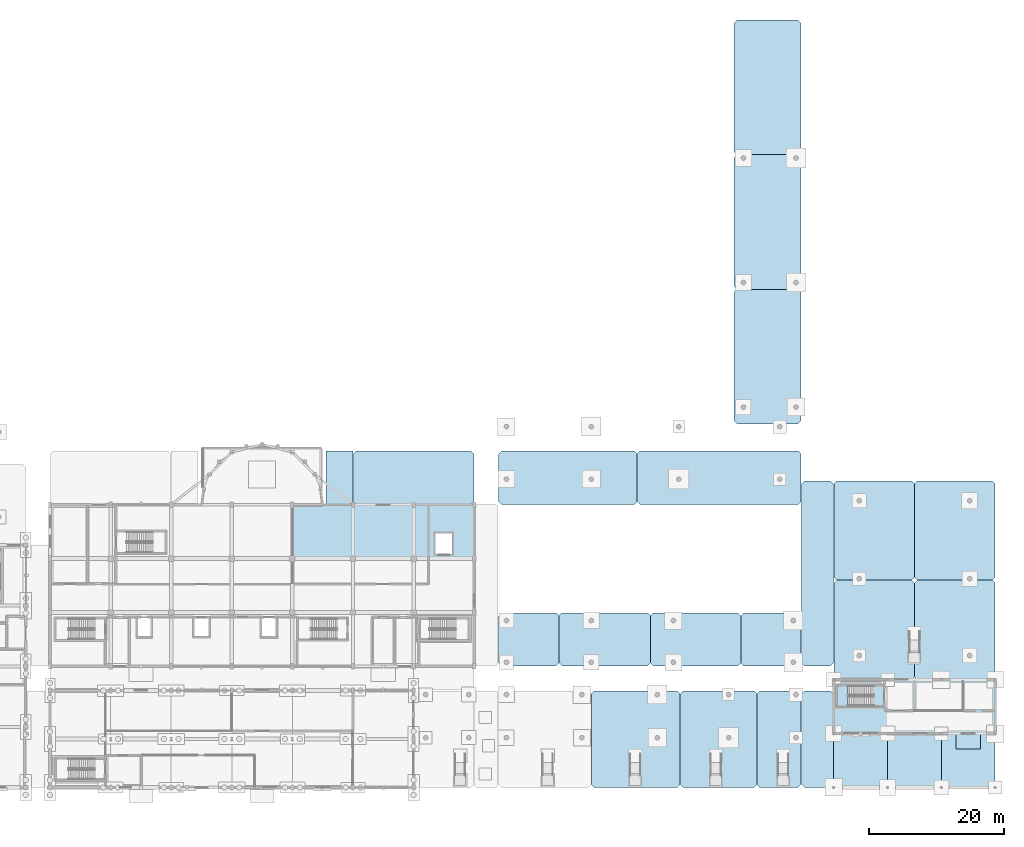
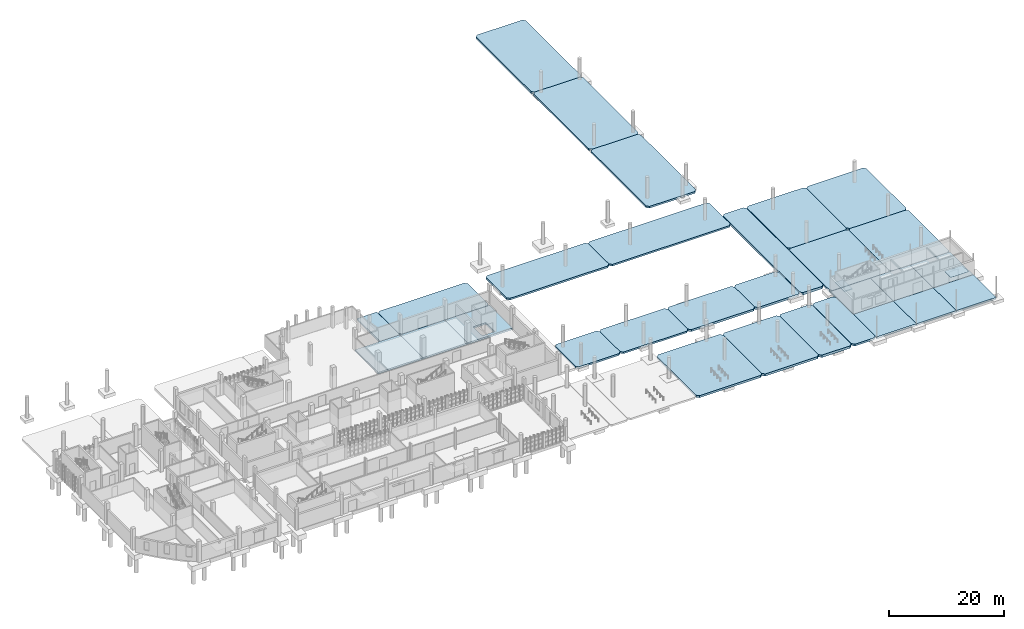
# One storey, part 36 of 63: 30 slabs, 1 plate, 1 element without a shape of its own.
"""IFC4 building model written with IfcOpenShell, lengths in metres."""

from ifc_helpers import new_model, si_unit, direction, frame, origin, origin_2d, place, context, subcontext, project, spatial, polyline, rectangle, outline, extrude, material, layer, layer_set, type_object, element, aggregate, save


model = new_model("IFC4")

# Units and contexts
model_context = context("Model", 3, precision=1e-05, world=origin(), true_north=direction((0.0, 1.0)))
body_context = subcontext(model_context, "Body", "Model", "MODEL_VIEW")
ifc_project = project(units=[si_unit("LENGTHUNIT", "METRE"), si_unit("AREAUNIT", "SQUARE_METRE"), si_unit("VOLUMEUNIT", "CUBIC_METRE"), si_unit("PLANEANGLEUNIT", "RADIAN"), si_unit("MASSUNIT", "GRAM", prefix="KILO")], contexts=[model_context])

# Site, building, storey
site_placement = place(None, origin())
site = spatial("IfcSite", under=ifc_project, at=site_placement, CompositionType="ELEMENT")
building_placement = place(site_placement, origin())
building = spatial("IfcBuilding", under=site, at=building_placement, Name="Serraforn Aerial Cableway Station", CompositionType="ELEMENT")
storey_placement = place(building_placement, origin())
storey = spatial("IfcBuildingStorey", under=building, at=storey_placement, Name="L00", CompositionType="ELEMENT", Elevation=0.0)

# Plate
ifc_material_1 = material(Name="Patinated bronze entrance canopy soffit")
ifc_layer_1 = layer(ifc_material_1, 0.035888671875)
ifc_layer_set_1 = layer_set([ifc_layer_1], Name="Patinated bronze entrance canopy soffit")
plate_type = type_object("IfcPlateType", Name="CAN-BRONZE", PredefinedType="USERDEFINED", material=ifc_layer_set_1)
plate_placement = place(storey_placement, frame((164.0, 6.840087890625, 2.73193359375), z_axis=(0.0, 0.0, 1.0), x_axis=(1.0, 0.0, 0.0)))
element("IfcPlate", 1, at=plate_placement, inside=storey, type_object=plate_type, Name="Bronze Art Deco Entrance Canopy 06", ObjectType="CANOPY PANEL", PredefinedType="USERDEFINED", context=body_context, shape_type="SweptSolid", body=[
    extrude(rectangle(XDim=3.60009765625, YDim=2.199951171875, at=origin_2d()), origin(), (0.0, 0.0, 1.0), 0.035888671875),
])

# Slabs
ifc_material_2 = material(Name="Concrete C35/45", Category="concrete")
ifc_layer_2 = layer(ifc_material_2, 0.39990234375)
ifc_layer_set_2 = layer_set([ifc_layer_2], Name="Concrete C35/45")
slab_type_1 = type_object("IfcSlabType", Name="SLB-BASE-400", PredefinedType="BASESLAB", material=ifc_layer_set_2)
slab_1_placement = place(storey_placement, frame((0.0, 0.0, -0.39990234375)))
element("IfcSlab", 2, at=slab_1_placement, inside=storey, type_object=slab_type_1, Name="Floor Slab ES-L00-1-2", PredefinedType="BASESLAB", context=body_context, shape_type="SweptSolid", body=[
    extrude(outline(polyline([(144.0, 8.0), (152.0, 8.0), (152.0, 16.0), (144.0, 16.0), (144.0, 8.0)])), origin(), (0.0, 0.0, 1.0), 0.39990234375),
])
slab_2_placement = place(storey_placement, frame((0.0, 0.0, -0.39990234375)))
element("IfcSlab", 3, at=slab_2_placement, inside=storey, type_object=slab_type_1, Name="Floor Slab ES-L00-2-2", PredefinedType="BASESLAB", context=body_context, shape_type="SweptSolid", body=[
    extrude(outline(polyline([(152.0, 8.0), (160.0, 8.0), (160.0, 16.0), (152.0, 16.0), (152.0, 8.0)])), origin(), (0.0, 0.0, 1.0), 0.39990234375),
])
slab_3_placement = place(storey_placement, frame((0.0, 0.0, -0.39990234375)))
element("IfcSlab", 4, at=slab_3_placement, inside=storey, type_object=slab_type_1, Name="Floor Slab ES-L00-3-2", PredefinedType="BASESLAB", context=body_context, shape_type="SweptSolid", body=[
    extrude(outline(polyline([(160.0, 8.0), (168.0, 8.0), (168.0, 16.0), (160.0, 16.0), (160.0, 8.0)])), origin(), (0.0, 0.0, 1.0), 0.39990234375),
])
ifc_layer_3 = layer(ifc_material_2, 0.409912109375)
ifc_layer_set_3 = layer_set([ifc_layer_3], Name="Concrete C35/45")
slab_type_2 = type_object("IfcSlabType", Name="SLB-COL-410", PredefinedType="FLOOR", material=ifc_layer_set_3)
slab_4_placement = place(storey_placement, frame((0.0, 0.0, -0.409912109375)))
element("IfcSlab", 5, at=slab_4_placement, inside=storey, type_object=slab_type_2, Name="Colonnade Slab ES-L00-1-1", PredefinedType="FLOOR", context=body_context, shape_type="SweptSolid", body=[
    extrude(outline(polyline([(144.0, 0.0), (152.0, 0.0), (152.0, 8.0), (144.0, 8.0), (144.0, 0.0)])), origin(), (0.0, 0.0, 1.0), 0.409912109375),
])
slab_5_placement = place(storey_placement, frame((0.0, 0.0, -0.409912109375)))
element("IfcSlab", 6, at=slab_5_placement, inside=storey, type_object=slab_type_2, Name="Colonnade Slab ES-L00-2-1", PredefinedType="FLOOR", context=body_context, shape_type="SweptSolid", body=[
    extrude(outline(polyline([(152.0, 0.0), (160.0, 0.0), (160.0, 8.0), (152.0, 8.0), (152.0, 0.0)])), origin(), (0.0, 0.0, 1.0), 0.409912109375),
])
slab_6_placement = place(storey_placement, frame((0.0, 0.0, -0.409912109375)))
element("IfcSlab", 7, at=slab_6_placement, inside=storey, type_object=slab_type_2, Name="Colonnade Slab ES-L00-3-1", PredefinedType="FLOOR", context=body_context, shape_type="SweptSolid", body=[
    extrude(outline(polyline([(160.0, 0.0), (168.0, 0.0), (168.0, 8.0), (160.0, 8.0), (160.0, 0.0)])), origin(), (0.0, 0.0, 1.0), 0.409912109375),
])
slab_7_placement = place(storey_placement, frame((0.0, 0.0, -0.409912109375)))
element("IfcSlab", 8, at=slab_7_placement, inside=storey, type_object=slab_type_2, Name="Forecourt and Cloister Colonnade Terrace PLZ-S-05B", PredefinedType="FLOOR", context=body_context, shape_type="SweptSolid", body=[
    extrude(outline(polyline([(139.699951171875, 0.0), (143.5, 0.0), (143.949951171875, 0.449951171875), (143.949951171875, 13.89990234375), (143.5, 14.35009765625), (139.699951171875, 14.35009765625), (139.25, 13.89990234375), (139.25, 0.449951171875), (139.699951171875, 0.0)])), origin(), (0.0, 0.0, 1.0), 0.409912109375),
])
slab_8_placement = place(storey_placement, frame((0.0, 0.0, -0.409912109375)))
element("IfcSlab", 9, at=slab_8_placement, inside=storey, type_object=slab_type_2, Name="Forecourt and Cloister Colonnade Terrace PLZ-E-02", PredefinedType="FLOOR", context=body_context, shape_type="SweptSolid", body=[
    extrude(outline(polyline([(156.449951171875, 16.02001953125), (167.550048828125, 16.02001953125), (168.0, 16.469970703125), (168.0, 30.35009765625), (167.550048828125, 30.800048828125), (156.449951171875, 30.800048828125), (156.0, 30.35009765625), (156.0, 16.469970703125), (156.449951171875, 16.02001953125)])), origin(), (0.0, 0.0, 1.0), 0.409912109375),
])
slab_9_placement = place(storey_placement, frame((0.0, 0.0, -0.409912109375)))
element("IfcSlab", 10, at=slab_9_placement, inside=storey, type_object=slab_type_2, Name="Forecourt and Cloister Colonnade Terrace PLZ-N-04", PredefinedType="FLOOR", context=body_context, shape_type="SweptSolid", body=[
    extrude(outline(polyline([(73.10009765625, 42.02001953125), (90.10009765625, 42.02001953125), (90.550048828125, 42.469970703125), (90.550048828125, 49.550048828125), (90.10009765625, 50.0), (73.10009765625, 50.0), (72.64990234375, 49.550048828125), (72.64990234375, 42.469970703125), (73.10009765625, 42.02001953125)])), origin(), (0.0, 0.0, 1.0), 0.409912109375),
])
ifc_material_3 = material(Name="Concrete C40/50", Category="concrete")
ifc_layer_4 = layer(ifc_material_3, 0.360107421875)
ifc_layer_set_4 = layer_set([ifc_layer_4], Name="Concrete C40/50")
slab_type_3 = type_object("IfcSlabType", Name="SLB-FLR-360", PredefinedType="FLOOR", material=ifc_layer_set_4)
slab_10_placement = place(storey_placement, frame((0.0, 0.0, -0.360107421875)))
element("IfcSlab", 11, at=slab_10_placement, inside=storey, type_object=slab_type_3, Name="Floor Slab CV-L00-5-3", PredefinedType="FLOOR", context=body_context, shape_type="SweptSolid", body=[
    extrude(outline(polyline([(63.60009765625, 34.0), (72.60009765625, 34.0), (72.60009765625, 42.0), (63.60009765625, 42.0), (63.60009765625, 34.0)])), origin(), (0.0, 0.0, 1.0), 0.360107421875),
])
slab_11_placement = place(storey_placement, frame((0.0, 0.0, -0.360107421875)))
element("IfcSlab", 12, at=slab_11_placement, inside=storey, type_object=slab_type_3, Name="Floor Slab CV-L00-6-3", PredefinedType="FLOOR", context=body_context, shape_type="SweptSolid", body=[
    extrude(outline(polyline([(72.60009765625, 34.0), (81.60009765625, 34.0), (81.60009765625, 42.0), (72.60009765625, 42.0), (72.60009765625, 34.0)])), origin(), (0.0, 0.0, 1.0), 0.360107421875),
])
slab_12_placement = place(storey_placement, frame((0.0, 0.0, -0.360107421875)))
element("IfcSlab", 13, at=slab_12_placement, inside=storey, type_object=slab_type_3, Name="Floor Slab CV-L00-7-3", PredefinedType="FLOOR", context=body_context, shape_type="SweptSolid", body=[
    extrude(outline(polyline([(81.60009765625, 34.0), (90.60009765625, 34.0), (90.60009765625, 42.0), (81.60009765625, 42.0), (81.60009765625, 34.0)]), holes=[polyline([(84.85009765625, 34.64990234375), (87.35009765625, 34.64990234375), (87.35009765625, 37.75), (84.85009765625, 37.75), (84.85009765625, 34.64990234375)])]), origin(), (0.0, 0.0, 1.0), 0.360107421875),
])

# Stair, slab
stair_type = type_object("IfcStairType", Name="STR-DL-3", PredefinedType="HALF_TURN_STAIR", material=ifc_material_2)
stair_placement = place(storey_placement, origin())
stair = element("IfcStair", 14, at=stair_placement, inside=storey, type_object=stair_type, Name="L00 Forecourt Pavilion Stair 7", PredefinedType="HALF_TURN_STAIR")
ifc_layer_5 = layer(ifc_material_2, 0.159912109375)
ifc_layer_set_5 = layer_set([ifc_layer_5], Name="Concrete C35/45")
slab_type_4 = type_object("IfcSlabType", Name="SLB-LND-160", PredefinedType="LANDING", material=ifc_layer_set_5)
slab_13_placement = place(storey_placement, frame((0.0, 0.0, 2.090087890625)))
slab_13 = element("IfcSlab", 15, at=slab_13_placement, type_object=slab_type_4, Name="ST-07 landing 1", PredefinedType="LANDING", context=body_context, shape_type="SweptSolid", body=[
    extrude(outline(polyline([(146.1298828125, 15.219970703125), (144.47998046875, 15.219970703125), (144.47998046875, 12.02001953125), (146.1298828125, 12.02001953125), (146.1298828125, 15.219970703125)])), origin(), (0.0, 0.0, 1.0), 0.159912109375),
])
aggregate(stair, [slab_13])

# Slabs
ifc_layer_6 = layer(ifc_material_2, 0.35498046875)
ifc_layer_set_6 = layer_set([ifc_layer_6], Name="Concrete C35/45")
slab_type_5 = type_object("IfcSlabType", Name="SLB-PLZ-355", PredefinedType="FLOOR", material=ifc_layer_set_6)
slab_14_placement = place(storey_placement, frame((0.0, 0.0, -0.35498046875)))
element("IfcSlab", 16, at=slab_14_placement, inside=storey, type_object=slab_type_5, Name="Forecourt and Cloister Colonnade Terrace PLZ-C-02", PredefinedType="FLOOR", context=body_context, shape_type="SweptSolid", body=[
    extrude(outline(polyline([(103.64990234375, 18.050048828125), (116.35009765625, 18.050048828125), (116.800048828125, 18.5), (116.800048828125, 25.5), (116.35009765625, 25.949951171875), (103.64990234375, 25.949951171875), (103.199951171875, 25.5), (103.199951171875, 18.5), (103.64990234375, 18.050048828125)])), origin(), (0.0, 0.0, 1.0), 0.35498046875),
])
slab_15_placement = place(storey_placement, frame((0.0, 0.0, -0.35498046875)))
element("IfcSlab", 17, at=slab_15_placement, inside=storey, type_object=slab_type_5, Name="Forecourt and Cloister Colonnade Terrace PLZ-E-04", PredefinedType="FLOOR", context=body_context, shape_type="SweptSolid", body=[
    extrude(outline(polyline([(156.449951171875, 30.800048828125), (167.550048828125, 30.800048828125), (168.0, 31.25), (168.0, 45.10009765625), (167.550048828125, 45.550048828125), (156.449951171875, 45.550048828125), (156.0, 45.10009765625), (156.0, 31.25), (156.449951171875, 30.800048828125)])), origin(), (0.0, 0.0, 1.0), 0.35498046875),
])
slab_16_placement = place(storey_placement, frame((0.0, 0.0, -0.35498046875)))
element("IfcSlab", 18, at=slab_16_placement, inside=storey, type_object=slab_type_5, Name="Forecourt and Cloister Colonnade Terrace PLZ-N-06", PredefinedType="FLOOR", context=body_context, shape_type="SweptSolid", body=[
    extrude(outline(polyline([(115.25, 42.02001953125), (138.699951171875, 42.02001953125), (139.14990234375, 42.469970703125), (139.14990234375, 49.550048828125), (138.699951171875, 50.0), (115.25, 50.0), (114.800048828125, 49.550048828125), (114.800048828125, 42.469970703125), (115.25, 42.02001953125)])), origin(), (0.0, 0.0, 1.0), 0.35498046875),
])
slab_17_placement = place(storey_placement, frame((0.0, 0.0, -0.35498046875)))
element("IfcSlab", 19, at=slab_17_placement, inside=storey, type_object=slab_type_5, Name="Forecourt and Cloister Colonnade Terrace PLZ-P-02", PredefinedType="FLOOR", context=body_context, shape_type="SweptSolid", body=[
    extrude(outline(polyline([(129.64990234375, 74.0), (138.699951171875, 74.0), (139.14990234375, 74.449951171875), (139.14990234375, 93.550048828125), (138.699951171875, 94.0), (129.64990234375, 94.0), (129.199951171875, 93.550048828125), (129.199951171875, 74.449951171875), (129.64990234375, 74.0)])), origin(), (0.0, 0.0, 1.0), 0.35498046875),
])
ifc_layer_7 = layer(ifc_material_2, 0.385009765625)
ifc_layer_set_7 = layer_set([ifc_layer_7], Name="Concrete C35/45")
slab_type_6 = type_object("IfcSlabType", Name="SLB-PLZ-385", PredefinedType="FLOOR", material=ifc_layer_set_7)
slab_18_placement = place(storey_placement, frame((0.0, 0.0, -0.385009765625)))
element("IfcSlab", 20, at=slab_18_placement, inside=storey, type_object=slab_type_6, Name="Forecourt and Cloister Colonnade Terrace PLZ-C-01", PredefinedType="FLOOR", context=body_context, shape_type="SweptSolid", body=[
    extrude(outline(polyline([(94.699951171875, 18.050048828125), (102.75, 18.050048828125), (103.199951171875, 18.5), (103.199951171875, 25.5), (102.75, 25.949951171875), (94.699951171875, 25.949951171875), (94.25, 25.5), (94.25, 18.5), (94.699951171875, 18.050048828125)])), origin(), (0.0, 0.0, 1.0), 0.385009765625),
])
slab_19_placement = place(storey_placement, frame((0.0, 0.0, -0.385009765625)))
element("IfcSlab", 21, at=slab_19_placement, inside=storey, type_object=slab_type_6, Name="Forecourt and Cloister Colonnade Terrace PLZ-E-03", PredefinedType="FLOOR", context=body_context, shape_type="SweptSolid", body=[
    extrude(outline(polyline([(144.5, 30.800048828125), (155.550048828125, 30.800048828125), (156.0, 31.25), (156.0, 45.10009765625), (155.550048828125, 45.550048828125), (144.5, 45.550048828125), (144.050048828125, 45.10009765625), (144.050048828125, 31.25), (144.5, 30.800048828125)])), origin(), (0.0, 0.0, 1.0), 0.385009765625),
])
slab_20_placement = place(storey_placement, frame((0.0, 0.0, -0.385009765625)))
element("IfcSlab", 22, at=slab_20_placement, inside=storey, type_object=slab_type_6, Name="Forecourt and Cloister Colonnade Terrace PLZ-N-05", PredefinedType="FLOOR", context=body_context, shape_type="SweptSolid", body=[
    extrude(outline(polyline([(94.699951171875, 42.02001953125), (114.35009765625, 42.02001953125), (114.800048828125, 42.469970703125), (114.800048828125, 49.550048828125), (114.35009765625, 50.0), (94.699951171875, 50.0), (94.25, 49.550048828125), (94.25, 42.469970703125), (94.699951171875, 42.02001953125)])), origin(), (0.0, 0.0, 1.0), 0.385009765625),
])
slab_21_placement = place(storey_placement, frame((0.0, 0.0, -0.385009765625)))
element("IfcSlab", 23, at=slab_21_placement, inside=storey, type_object=slab_type_6, Name="Forecourt and Cloister Colonnade Terrace PLZ-P-01", PredefinedType="FLOOR", context=body_context, shape_type="SweptSolid", body=[
    extrude(outline(polyline([(129.64990234375, 54.0), (138.699951171875, 54.0), (139.14990234375, 54.449951171875), (139.14990234375, 73.550048828125), (138.699951171875, 74.0), (129.64990234375, 74.0), (129.199951171875, 73.550048828125), (129.199951171875, 54.449951171875), (129.64990234375, 54.0)])), origin(), (0.0, 0.0, 1.0), 0.385009765625),
])
slab_22_placement = place(storey_placement, frame((0.0, 0.0, -0.385009765625)))
element("IfcSlab", 24, at=slab_22_placement, inside=storey, type_object=slab_type_6, Name="Apse Flank Promenade Deck S-2", PredefinedType="FLOOR", context=body_context, shape_type="SweptSolid", body=[
    extrude(outline(polyline([(68.60009765625, 42.02001953125), (72.60009765625, 42.02001953125), (72.60009765625, 50.0), (68.60009765625, 50.0), (68.60009765625, 42.02001953125)])), origin(), (0.0, 0.0, 1.0), 0.385009765625),
])
ifc_layer_8 = layer(ifc_material_2, 0.43505859375)
ifc_layer_set_8 = layer_set([ifc_layer_8], Name="Concrete C35/45")
slab_type_7 = type_object("IfcSlabType", Name="SLB-PLZ-435", PredefinedType="FLOOR", material=ifc_layer_set_8)
slab_23_placement = place(storey_placement, frame((0.0, 0.0, -0.43505859375)))
element("IfcSlab", 25, at=slab_23_placement, inside=storey, type_object=slab_type_7, Name="Forecourt and Cloister Colonnade Terrace PLZ-S-03", PredefinedType="FLOOR", context=body_context, shape_type="SweptSolid", body=[
    extrude(outline(polyline([(108.449951171875, 0.0), (120.75, 0.0), (121.199951171875, 0.449951171875), (121.199951171875, 13.89990234375), (120.75, 14.35009765625), (108.449951171875, 14.35009765625), (108.0, 13.89990234375), (108.0, 0.449951171875), (108.449951171875, 0.0)])), origin(), (0.0, 0.0, 1.0), 0.43505859375),
])
slab_24_placement = place(storey_placement, frame((0.0, 0.0, -0.43505859375)))
element("IfcSlab", 26, at=slab_24_placement, inside=storey, type_object=slab_type_7, Name="Forecourt and Cloister Colonnade Terrace PLZ-C-03", PredefinedType="FLOOR", context=body_context, shape_type="SweptSolid", body=[
    extrude(outline(polyline([(117.25, 18.050048828125), (129.75, 18.050048828125), (130.199951171875, 18.5), (130.199951171875, 25.5), (129.75, 25.949951171875), (117.25, 25.949951171875), (116.800048828125, 25.5), (116.800048828125, 18.5), (117.25, 18.050048828125)])), origin(), (0.0, 0.0, 1.0), 0.43505859375),
])
slab_25_placement = place(storey_placement, frame((0.0, 0.0, -0.43505859375)))
element("IfcSlab", 27, at=slab_25_placement, inside=storey, type_object=slab_type_7, Name="Forecourt and Cloister Colonnade Terrace PLZ-P-03", PredefinedType="FLOOR", context=body_context, shape_type="SweptSolid", body=[
    extrude(outline(polyline([(129.64990234375, 94.0), (138.699951171875, 94.0), (139.14990234375, 94.449951171875), (139.14990234375, 113.550048828125), (138.699951171875, 114.0), (129.64990234375, 114.0), (129.199951171875, 113.550048828125), (129.199951171875, 94.449951171875), (129.64990234375, 94.0)])), origin(), (0.0, 0.0, 1.0), 0.43505859375),
])
ifc_layer_9 = layer(ifc_material_2, 0.465087890625)
ifc_layer_set_9 = layer_set([ifc_layer_9], Name="Concrete C35/45")
slab_type_8 = type_object("IfcSlabType", Name="SLB-PLZ-465", PredefinedType="FLOOR", material=ifc_layer_set_9)
slab_26_placement = place(storey_placement, frame((0.0, 0.0, -0.465087890625)))
element("IfcSlab", 28, at=slab_26_placement, inside=storey, type_object=slab_type_8, Name="Forecourt and Cloister Colonnade Terrace PLZ-S-04", PredefinedType="FLOOR", context=body_context, shape_type="SweptSolid", body=[
    extrude(outline(polyline([(121.64990234375, 0.0), (132.14990234375, 0.0), (132.60009765625, 0.449951171875), (132.60009765625, 13.89990234375), (132.14990234375, 14.35009765625), (121.64990234375, 14.35009765625), (121.199951171875, 13.89990234375), (121.199951171875, 0.449951171875), (121.64990234375, 0.0)])), origin(), (0.0, 0.0, 1.0), 0.465087890625),
])
slab_27_placement = place(storey_placement, frame((0.0, 0.0, -0.465087890625)))
element("IfcSlab", 29, at=slab_27_placement, inside=storey, type_object=slab_type_8, Name="Forecourt and Cloister Colonnade Terrace PLZ-C-04", PredefinedType="FLOOR", context=body_context, shape_type="SweptSolid", body=[
    extrude(outline(polyline([(130.64990234375, 18.050048828125), (138.699951171875, 18.050048828125), (139.14990234375, 18.5), (139.14990234375, 25.5), (138.699951171875, 25.949951171875), (130.64990234375, 25.949951171875), (130.199951171875, 25.5), (130.199951171875, 18.5), (130.64990234375, 18.050048828125)])), origin(), (0.0, 0.0, 1.0), 0.465087890625),
])
ifc_layer_10 = layer(ifc_material_2, 0.5048828125)
ifc_layer_set_10 = layer_set([ifc_layer_10], Name="Concrete C35/45")
slab_type_9 = type_object("IfcSlabType", Name="SLB-PLZ-505", PredefinedType="FLOOR", material=ifc_layer_set_10)
slab_28_placement = place(storey_placement, frame((0.0, 0.0, -0.5048828125)))
element("IfcSlab", 30, at=slab_28_placement, inside=storey, type_object=slab_type_9, Name="Forecourt and Cloister Colonnade Terrace PLZ-S-05A", PredefinedType="FLOOR", context=body_context, shape_type="SweptSolid", body=[
    extrude(outline(polyline([(133.050048828125, 0.0), (138.699951171875, 0.0), (139.14990234375, 0.449951171875), (139.14990234375, 13.89990234375), (138.699951171875, 14.35009765625), (133.050048828125, 14.35009765625), (132.60009765625, 13.89990234375), (132.60009765625, 0.449951171875), (133.050048828125, 0.0)])), origin(), (0.0, 0.0, 1.0), 0.5048828125),
])
slab_29_placement = place(storey_placement, frame((0.0, 0.0, -0.5048828125)))
element("IfcSlab", 31, at=slab_29_placement, inside=storey, type_object=slab_type_9, Name="Forecourt and Cloister Colonnade Terrace PLZ-E-01", PredefinedType="FLOOR", context=body_context, shape_type="SweptSolid", body=[
    extrude(outline(polyline([(144.5, 16.02001953125), (155.550048828125, 16.02001953125), (156.0, 16.469970703125), (156.0, 30.35009765625), (155.550048828125, 30.800048828125), (144.5, 30.800048828125), (144.050048828125, 30.35009765625), (144.050048828125, 16.469970703125), (144.5, 16.02001953125)])), origin(), (0.0, 0.0, 1.0), 0.5048828125),
])
slab_30_placement = place(storey_placement, frame((0.0, 0.0, -0.5048828125)))
element("IfcSlab", 32, at=slab_30_placement, inside=storey, type_object=slab_type_9, Name="Forecourt and Cloister Colonnade Terrace PLZ-P-09", PredefinedType="FLOOR", context=body_context, shape_type="SweptSolid", body=[
    extrude(outline(polyline([(139.699951171875, 18.050048828125), (143.5, 18.050048828125), (143.949951171875, 18.5), (143.949951171875, 45.10009765625), (143.5, 45.550048828125), (139.699951171875, 45.550048828125), (139.25, 45.10009765625), (139.25, 18.5), (139.699951171875, 18.050048828125)])), origin(), (0.0, 0.0, 1.0), 0.5048828125),
])

save(model, "model.ifc")
